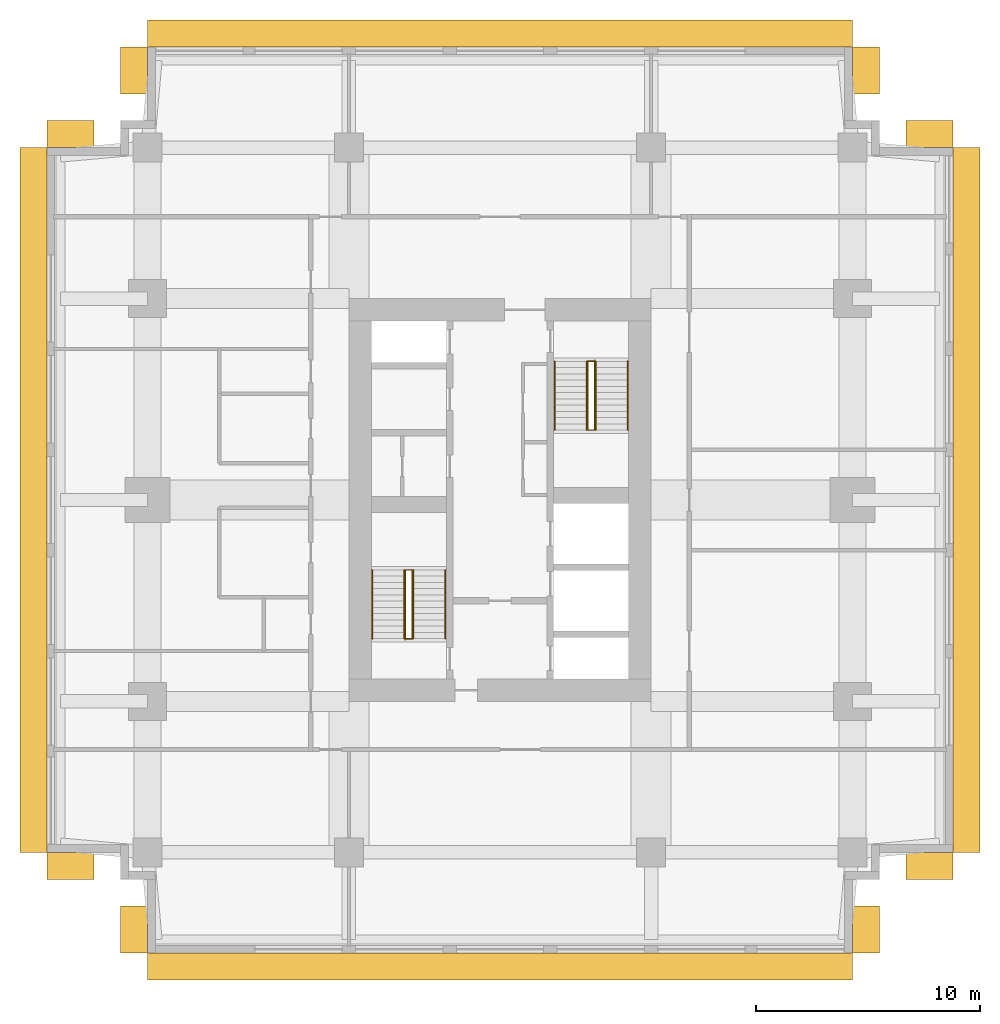
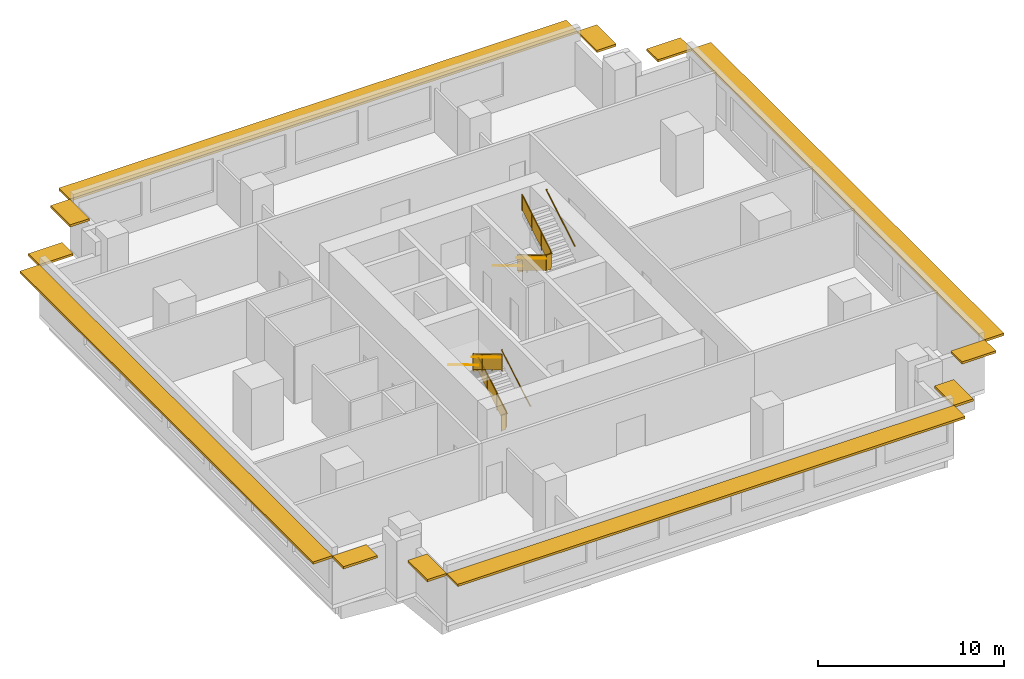
# One storey, part 5 of 5: 12 shading devices, 10 railings.
"""IFC4 building model written with IfcOpenShell, lengths in metres."""

from ifc_helpers import new_model, si_unit, direction, frame, origin, origin_2d, place, context, subcontext, project, spatial, polyline, rectangle, circle, outline, extrude, material, layer, layer_set, type_object, element, save


model = new_model("IFC4")

# Units and contexts
model_context = context("Model", 3, precision=1e-05, world=origin(), true_north=direction((0.0, 1.0)))
body_context = subcontext(model_context, "Body", "Model", "MODEL_VIEW")
ifc_project = project(units=[si_unit("LENGTHUNIT", "METRE"), si_unit("AREAUNIT", "SQUARE_METRE"), si_unit("VOLUMEUNIT", "CUBIC_METRE"), si_unit("PLANEANGLEUNIT", "RADIAN"), si_unit("MASSUNIT", "GRAM", prefix="KILO")], contexts=[model_context])

# Site, building, storey
site_placement = place(None, origin())
site = spatial("IfcSite", under=ifc_project, at=site_placement, CompositionType="ELEMENT")
building_placement = place(site_placement, origin())
building = spatial("IfcBuilding", under=site, at=building_placement, Name="Namib Vertical Campus", CompositionType="ELEMENT")
storey_placement = place(building_placement, frame((0.0, 0.0, 277.0)))
storey = spatial("IfcBuildingStorey", under=building, at=storey_placement, Name="L65", CompositionType="ELEMENT", Elevation=277.0)

# Railings
ifc_material_1 = material(Name="Steel handrail", Category="steel")
railing_type_1 = type_object("IfcRailingType", Name="Handrail 900", PredefinedType="HANDRAIL", material=ifc_material_1)
railing_1_placement = place(storey_placement, frame((17.800048828125, 14.050048828125, 0.166748046875)))
element("IfcRailing", 1, at=railing_1_placement, inside=storey, type_object=railing_type_1, Name="Handrail HR1 A-S1 L65 1", PredefinedType="HANDRAIL", context=body_context, shape_type="SweptSolid", body=[
    extrude(circle(Radius=0.02392578125, at=origin_2d()), frame((0.0, 0.0, 0.8759765625), z_axis=(0.0, 0.859290745958, 0.51148745235), x_axis=(-1.0, 0.0, 0.0)), (0.0, 0.0, 1.0), 3.584228515625),
    extrude(circle(Radius=0.008056640625, at=origin_2d()), frame((0.0, 0.0, 0.8759765625), z_axis=(1.0, 0.0, 0.0), x_axis=(0.0, 0.0, 1.0)), (0.0, 0.0, 1.0), 0.050048828125),
    extrude(circle(Radius=0.008056640625, at=origin_2d()), frame((0.0, 1.026611328125, 1.48681640625), z_axis=(1.0, 0.0, 0.0), x_axis=(0.0, 0.0, 1.0)), (0.0, 0.0, 1.0), 0.050048828125),
    extrude(circle(Radius=0.008056640625, at=origin_2d()), frame((0.0, 2.05322265625, 2.09814453125), z_axis=(1.0, 0.0, 0.0), x_axis=(0.0, 0.0, 1.0)), (0.0, 0.0, 1.0), 0.050048828125),
    extrude(circle(Radius=0.008056640625, at=origin_2d()), frame((0.0, 3.079833984375, 2.708984375), z_axis=(1.0, 0.0, 0.0), x_axis=(0.0, 0.0, 1.0)), (0.0, 0.0, 1.0), 0.050048828125),
])
railing_2_placement = place(storey_placement, frame((14.550048828125, 17.1298828125, 2.166748046875)))
element("IfcRailing", 2, at=railing_2_placement, inside=storey, type_object=railing_type_1, Name="Handrail HR1 A-S1 L65 2", PredefinedType="HANDRAIL", context=body_context, shape_type="SweptSolid", body=[
    extrude(circle(Radius=0.02392578125, at=origin_2d()), frame((0.0, 0.0, 0.8759765625), z_axis=(0.0, -0.859290745958, 0.51148745235), x_axis=(1.0, 0.0, 0.0)), (0.0, 0.0, 1.0), 3.584228515625),
    extrude(circle(Radius=0.008056640625, at=origin_2d()), frame((0.0, 0.0, 0.8759765625), z_axis=(-1.0, 0.0, 0.0), x_axis=(0.0, 0.0, 1.0)), (0.0, 0.0, 1.0), 0.050048828125),
    extrude(circle(Radius=0.008056640625, at=origin_2d()), frame((0.0, -1.026611328125, 1.48681640625), z_axis=(-1.0, 0.0, 0.0), x_axis=(0.0, 0.0, 1.0)), (0.0, 0.0, 1.0), 0.050048828125),
    extrude(circle(Radius=0.008056640625, at=origin_2d()), frame((0.0, -2.05322265625, 2.09814453125), z_axis=(-1.0, 0.0, 0.0), x_axis=(0.0, 0.0, 1.0)), (0.0, 0.0, 1.0), 0.050048828125),
    extrude(circle(Radius=0.008056640625, at=origin_2d()), frame((0.0, -3.079833984375, 2.708984375), z_axis=(-1.0, 0.0, 0.0), x_axis=(0.0, 0.0, 1.0)), (0.0, 0.0, 1.0), 0.050048828125),
])
railing_3_placement = place(storey_placement, frame((16.375, 14.050048828125, 0.166748046875)))
element("IfcRailing", 3, at=railing_3_placement, inside=storey, type_object=railing_type_1, Name="Handrail HR1 A-S1 L65 1 at the well", PredefinedType="HANDRAIL", context=body_context, shape_type="SweptSolid", body=[
    extrude(circle(Radius=0.02392578125, at=origin_2d()), frame((0.0, 0.0, 0.8759765625), z_axis=(0.0, 0.859290745958, 0.51148745235), x_axis=(-1.0, 0.0, 0.0)), (0.0, 0.0, 1.0), 3.584228515625),
    extrude(circle(Radius=0.008056640625, at=origin_2d()), frame((0.0, 0.0, 0.8759765625), z_axis=(-1.0, 0.0, 0.0), x_axis=(0.0, 0.0, 1.0)), (0.0, 0.0, 1.0), 0.0400390625),
    extrude(circle(Radius=0.008056640625, at=origin_2d()), frame((0.0, 1.026611328125, 1.48681640625), z_axis=(-1.0, 0.0, 0.0), x_axis=(0.0, 0.0, 1.0)), (0.0, 0.0, 1.0), 0.0400390625),
    extrude(circle(Radius=0.008056640625, at=origin_2d()), frame((0.0, 2.05322265625, 2.09814453125), z_axis=(-1.0, 0.0, 0.0), x_axis=(0.0, 0.0, 1.0)), (0.0, 0.0, 1.0), 0.0400390625),
    extrude(circle(Radius=0.008056640625, at=origin_2d()), frame((0.0, 3.079833984375, 2.708984375), z_axis=(-1.0, 0.0, 0.0), x_axis=(0.0, 0.0, 1.0)), (0.0, 0.0, 1.0), 0.0400390625),
])
railing_4_placement = place(storey_placement, frame((15.97509765625, 17.1298828125, 2.166748046875)))
element("IfcRailing", 4, at=railing_4_placement, inside=storey, type_object=railing_type_1, Name="Handrail HR1 A-S1 L65 2 at the well", PredefinedType="HANDRAIL", context=body_context, shape_type="SweptSolid", body=[
    extrude(circle(Radius=0.02392578125, at=origin_2d()), frame((0.0, 0.0, 0.8759765625), z_axis=(0.0, -0.859290745958, 0.51148745235), x_axis=(1.0, 0.0, 0.0)), (0.0, 0.0, 1.0), 3.584228515625),
    extrude(circle(Radius=0.008056640625, at=origin_2d()), frame((0.0, 0.0, 0.8759765625), z_axis=(1.0, 0.0, 0.0), x_axis=(0.0, 0.0, 1.0)), (0.0, 0.0, 1.0), 0.0400390625),
    extrude(circle(Radius=0.008056640625, at=origin_2d()), frame((0.0, -1.026611328125, 1.48681640625), z_axis=(1.0, 0.0, 0.0), x_axis=(0.0, 0.0, 1.0)), (0.0, 0.0, 1.0), 0.0400390625),
    extrude(circle(Radius=0.008056640625, at=origin_2d()), frame((0.0, -2.05322265625, 2.09814453125), z_axis=(1.0, 0.0, 0.0), x_axis=(0.0, 0.0, 1.0)), (0.0, 0.0, 1.0), 0.0400390625),
    extrude(circle(Radius=0.008056640625, at=origin_2d()), frame((0.0, -3.079833984375, 2.708984375), z_axis=(1.0, 0.0, 0.0), x_axis=(0.0, 0.0, 1.0)), (0.0, 0.0, 1.0), 0.0400390625),
])
railing_5_placement = place(storey_placement, frame((22.699951171875, 26.449951171875, 0.166748046875)))
element("IfcRailing", 5, at=railing_5_placement, inside=storey, type_object=railing_type_1, Name="Handrail HR1 A-S2 L65 1", PredefinedType="HANDRAIL", context=body_context, shape_type="SweptSolid", body=[
    extrude(circle(Radius=0.02392578125, at=origin_2d()), frame((0.0, 0.0, 0.8759765625), z_axis=(0.0, -0.859290745958, 0.51148745235), x_axis=(1.0, 0.0, 0.0)), (0.0, 0.0, 1.0), 3.584228515625),
    extrude(circle(Radius=0.008056640625, at=origin_2d()), frame((0.0, 0.0, 0.8759765625), z_axis=(-1.0, 0.0, 0.0), x_axis=(0.0, 0.0, 1.0)), (0.0, 0.0, 1.0), 0.050048828125),
    extrude(circle(Radius=0.008056640625, at=origin_2d()), frame((0.0, -1.026611328125, 1.48681640625), z_axis=(-1.0, 0.0, 0.0), x_axis=(0.0, 0.0, 1.0)), (0.0, 0.0, 1.0), 0.050048828125),
    extrude(circle(Radius=0.008056640625, at=origin_2d()), frame((0.0, -2.05322265625, 2.09814453125), z_axis=(-1.0, 0.0, 0.0), x_axis=(0.0, 0.0, 1.0)), (0.0, 0.0, 1.0), 0.050048828125),
    extrude(circle(Radius=0.008056640625, at=origin_2d()), frame((0.0, -3.079833984375, 2.708984375), z_axis=(-1.0, 0.0, 0.0), x_axis=(0.0, 0.0, 1.0)), (0.0, 0.0, 1.0), 0.050048828125),
])
railing_6_placement = place(storey_placement, frame((25.949951171875, 23.3701171875, 2.166748046875)))
element("IfcRailing", 6, at=railing_6_placement, inside=storey, type_object=railing_type_1, Name="Handrail HR1 A-S2 L65 2", PredefinedType="HANDRAIL", context=body_context, shape_type="SweptSolid", body=[
    extrude(circle(Radius=0.02392578125, at=origin_2d()), frame((0.0, 0.0, 0.8759765625), z_axis=(0.0, 0.859290745958, 0.51148745235), x_axis=(-1.0, 0.0, 0.0)), (0.0, 0.0, 1.0), 3.584228515625),
    extrude(circle(Radius=0.008056640625, at=origin_2d()), frame((0.0, 0.0, 0.8759765625), z_axis=(1.0, 0.0, 0.0), x_axis=(0.0, 0.0, 1.0)), (0.0, 0.0, 1.0), 0.050048828125),
    extrude(circle(Radius=0.008056640625, at=origin_2d()), frame((0.0, 1.026611328125, 1.48681640625), z_axis=(1.0, 0.0, 0.0), x_axis=(0.0, 0.0, 1.0)), (0.0, 0.0, 1.0), 0.050048828125),
    extrude(circle(Radius=0.008056640625, at=origin_2d()), frame((0.0, 2.05322265625, 2.09814453125), z_axis=(1.0, 0.0, 0.0), x_axis=(0.0, 0.0, 1.0)), (0.0, 0.0, 1.0), 0.050048828125),
    extrude(circle(Radius=0.008056640625, at=origin_2d()), frame((0.0, 3.079833984375, 2.708984375), z_axis=(1.0, 0.0, 0.0), x_axis=(0.0, 0.0, 1.0)), (0.0, 0.0, 1.0), 0.050048828125),
])
railing_7_placement = place(storey_placement, frame((24.125, 26.449951171875, 0.166748046875)))
element("IfcRailing", 7, at=railing_7_placement, inside=storey, type_object=railing_type_1, Name="Handrail HR1 A-S2 L65 1 at the well", PredefinedType="HANDRAIL", context=body_context, shape_type="SweptSolid", body=[
    extrude(circle(Radius=0.02392578125, at=origin_2d()), frame((0.0, 0.0, 0.8759765625), z_axis=(0.0, -0.859290745958, 0.51148745235), x_axis=(1.0, 0.0, 0.0)), (0.0, 0.0, 1.0), 3.584228515625),
    extrude(circle(Radius=0.008056640625, at=origin_2d()), frame((0.0, 0.0, 0.8759765625), z_axis=(1.0, 0.0, 0.0), x_axis=(0.0, 0.0, 1.0)), (0.0, 0.0, 1.0), 0.0400390625),
    extrude(circle(Radius=0.008056640625, at=origin_2d()), frame((0.0, -1.026611328125, 1.48681640625), z_axis=(1.0, 0.0, 0.0), x_axis=(0.0, 0.0, 1.0)), (0.0, 0.0, 1.0), 0.0400390625),
    extrude(circle(Radius=0.008056640625, at=origin_2d()), frame((0.0, -2.05322265625, 2.09814453125), z_axis=(1.0, 0.0, 0.0), x_axis=(0.0, 0.0, 1.0)), (0.0, 0.0, 1.0), 0.0400390625),
    extrude(circle(Radius=0.008056640625, at=origin_2d()), frame((0.0, -3.079833984375, 2.708984375), z_axis=(1.0, 0.0, 0.0), x_axis=(0.0, 0.0, 1.0)), (0.0, 0.0, 1.0), 0.0400390625),
])
railing_8_placement = place(storey_placement, frame((24.52490234375, 23.3701171875, 2.166748046875)))
element("IfcRailing", 8, at=railing_8_placement, inside=storey, type_object=railing_type_1, Name="Handrail HR1 A-S2 L65 2 at the well", PredefinedType="HANDRAIL", context=body_context, shape_type="SweptSolid", body=[
    extrude(circle(Radius=0.02392578125, at=origin_2d()), frame((0.0, 0.0, 0.8759765625), z_axis=(0.0, 0.859290745958, 0.51148745235), x_axis=(-1.0, 0.0, 0.0)), (0.0, 0.0, 1.0), 3.584228515625),
    extrude(circle(Radius=0.008056640625, at=origin_2d()), frame((0.0, 0.0, 0.8759765625), z_axis=(-1.0, 0.0, 0.0), x_axis=(0.0, 0.0, 1.0)), (0.0, 0.0, 1.0), 0.0400390625),
    extrude(circle(Radius=0.008056640625, at=origin_2d()), frame((0.0, 1.026611328125, 1.48681640625), z_axis=(-1.0, 0.0, 0.0), x_axis=(0.0, 0.0, 1.0)), (0.0, 0.0, 1.0), 0.0400390625),
    extrude(circle(Radius=0.008056640625, at=origin_2d()), frame((0.0, 2.05322265625, 2.09814453125), z_axis=(-1.0, 0.0, 0.0), x_axis=(0.0, 0.0, 1.0)), (0.0, 0.0, 1.0), 0.0400390625),
    extrude(circle(Radius=0.008056640625, at=origin_2d()), frame((0.0, 3.079833984375, 2.708984375), z_axis=(-1.0, 0.0, 0.0), x_axis=(0.0, 0.0, 1.0)), (0.0, 0.0, 1.0), 0.0400390625),
])
ifc_material_2 = material(Name="Steel balustrade", Category="steel")
railing_type_2 = type_object("IfcRailingType", Name="Stair guard 1100", PredefinedType="GUARDRAIL", material=ifc_material_2)
railing_9_placement = place(storey_placement, frame((16.02490234375, 14.050048828125, 0.0)))
element("IfcRailing", 9, at=railing_9_placement, inside=storey, type_object=railing_type_2, Name="Stair guard GR1 A-S1 L65", PredefinedType="GUARDRAIL", context=body_context, shape_type="SweptSolid", body=[
    extrude(circle(Radius=0.02392578125, at=origin_2d()), frame((0.0, 0.0, 1.076171875), z_axis=(1.0, 0.0, 0.0), x_axis=(0.0, 1.0, 0.0)), (0.0, 0.0, 1.0), 0.300048828125),
    extrude(outline(polyline([(0.02099609375, 0.050048828125), (0.279052734375, 0.050048828125), (0.279052734375, 1.052001953125), (0.02099609375, 1.052001953125), (0.02099609375, 0.050048828125)])), frame((0.0, 0.010009765625, 0.0), z_axis=(0.0, -1.0, 0.0), x_axis=(1.0, 0.0, 0.0)), (0.0, 0.0, 1.0), 0.02001953125),
    extrude(circle(Radius=0.02392578125, at=origin_2d()), frame((0.300048828125, 0.0, 1.076171875), z_axis=(0.0, 0.0, 1.0), x_axis=(1.0, 0.0, 0.0)), (0.0, 0.0, 1.0), 0.166748046875),
    extrude(circle(Radius=0.02392578125, at=origin_2d()), frame((0.300048828125, 0.0, 1.24267578125), z_axis=(0.0, 0.859290745958, 0.51148745235), x_axis=(-1.0, 0.0, 0.0)), (0.0, 0.0, 1.0), 3.584228515625),
    extrude(outline(polyline([(0.02099609375, 0.0625), (3.058837890625, 1.870849609375), (3.058837890625, 2.872802734375), (0.02099609375, 1.064453125), (0.02099609375, 0.0625)])), frame((0.2900390625, 0.0, 0.166748046875), z_axis=(1.0, 0.0, 0.0), x_axis=(0.0, 1.0, 0.0)), (0.0, 0.0, 1.0), 0.02001953125),
    extrude(circle(Radius=0.02392578125, at=origin_2d()), frame((0.300048828125, 3.079833984375, 3.076171875), z_axis=(-1.0, 0.0, 0.0), x_axis=(0.0, -1.0, 0.0)), (0.0, 0.0, 1.0), 0.300048828125),
    extrude(outline(polyline([(0.02099609375, 0.050048828125), (0.279052734375, 0.050048828125), (0.279052734375, 1.052001953125), (0.02099609375, 1.052001953125), (0.02099609375, 0.050048828125)])), frame((0.300048828125, 3.06982421875, 2.0), z_axis=(0.0, 1.0, 0.0), x_axis=(-1.0, 0.0, 0.0)), (0.0, 0.0, 1.0), 0.02001953125),
    extrude(circle(Radius=0.02392578125, at=origin_2d()), frame((0.0, 3.079833984375, 3.076171875), z_axis=(0.0, 0.0, 1.0), x_axis=(1.0, 0.0, 0.0)), (0.0, 0.0, 1.0), 0.166748046875),
    extrude(circle(Radius=0.02392578125, at=origin_2d()), frame((0.0, 3.079833984375, 3.24267578125), z_axis=(0.0, -0.859290745958, 0.51148745235), x_axis=(1.0, 0.0, 0.0)), (0.0, 0.0, 1.0), 3.584228515625),
    extrude(outline(polyline([(0.02099609375, 0.0625), (3.058837890625, 1.870849609375), (3.058837890625, 2.872802734375), (0.02099609375, 1.064453125), (0.02099609375, 0.0625)])), frame((0.010009765625, 3.079833984375, 2.166748046875), z_axis=(-1.0, 0.0, 0.0), x_axis=(0.0, -1.0, 0.0)), (0.0, 0.0, 1.0), 0.02001953125),
    extrude(circle(Radius=0.02392578125, at=origin_2d()), frame((0.0, 0.0, 5.076171875), z_axis=(0.0, -1.0, 0.0), x_axis=(1.0, 0.0, 0.0)), (0.0, 0.0, 1.0), 0.050048828125),
    extrude(outline(polyline([(0.02099609375, 0.050048828125), (0.029052734375, 0.050048828125), (0.029052734375, 1.052001953125), (0.02099609375, 1.052001953125), (0.02099609375, 0.050048828125)])), frame((0.010009765625, 0.0, 4.0), z_axis=(-1.0, 0.0, 0.0), x_axis=(0.0, -1.0, 0.0)), (0.0, 0.0, 1.0), 0.02001953125),
    extrude(circle(Radius=0.02099609375, at=origin_2d()), origin(), (0.0, 0.0, 1.0), 1.052001953125),
    extrude(circle(Radius=0.02099609375, at=origin_2d()), frame((0.300048828125, 0.0, 0.166748046875)), (0.0, 0.0, 1.0), 1.052001953125),
    extrude(circle(Radius=0.02099609375, at=origin_2d()), frame((0.300048828125, 1.026611328125, 0.666748046875)), (0.0, 0.0, 1.0), 1.1630859375),
    extrude(circle(Radius=0.02099609375, at=origin_2d()), frame((0.300048828125, 2.05322265625, 1.33349609375)), (0.0, 0.0, 1.0), 1.107421875),
    extrude(circle(Radius=0.02099609375, at=origin_2d()), frame((0.300048828125, 3.079833984375, 2.0)), (0.0, 0.0, 1.0), 1.052001953125),
    extrude(circle(Radius=0.02099609375, at=origin_2d()), frame((0.0, 3.079833984375, 2.166748046875)), (0.0, 0.0, 1.0), 1.052001953125),
    extrude(circle(Radius=0.02099609375, at=origin_2d()), frame((0.0, 2.05322265625, 2.666748046875)), (0.0, 0.0, 1.0), 1.1630859375),
    extrude(circle(Radius=0.02099609375, at=origin_2d()), frame((0.0, 1.026611328125, 3.33349609375)), (0.0, 0.0, 1.0), 1.107421875),
    extrude(circle(Radius=0.02099609375, at=origin_2d()), frame((0.0, 0.0, 4.0)), (0.0, 0.0, 1.0), 1.052001953125),
    extrude(circle(Radius=0.02099609375, at=origin_2d()), frame((0.0, -0.050048828125, 4.0)), (0.0, 0.0, 1.0), 1.052001953125),
])
railing_10_placement = place(storey_placement, frame((24.47509765625, 26.449951171875, 0.0)))
element("IfcRailing", 10, at=railing_10_placement, inside=storey, type_object=railing_type_2, Name="Stair guard GR1 A-S2 L65", PredefinedType="GUARDRAIL", context=body_context, shape_type="SweptSolid", body=[
    extrude(circle(Radius=0.02392578125, at=origin_2d()), frame((0.0, 0.0, 1.076171875), z_axis=(-1.0, 0.0, 0.0), x_axis=(0.0, -1.0, 0.0)), (0.0, 0.0, 1.0), 0.300048828125),
    extrude(outline(polyline([(0.02099609375, 0.050048828125), (0.279052734375, 0.050048828125), (0.279052734375, 1.052001953125), (0.02099609375, 1.052001953125), (0.02099609375, 0.050048828125)])), frame((0.0, -0.010009765625, 0.0), z_axis=(0.0, 1.0, 0.0), x_axis=(-1.0, 0.0, 0.0)), (0.0, 0.0, 1.0), 0.02001953125),
    extrude(circle(Radius=0.02392578125, at=origin_2d()), frame((-0.300048828125, 0.0, 1.076171875), z_axis=(0.0, 0.0, 1.0), x_axis=(1.0, 0.0, 0.0)), (0.0, 0.0, 1.0), 0.166748046875),
    extrude(circle(Radius=0.02392578125, at=origin_2d()), frame((-0.300048828125, 0.0, 1.24267578125), z_axis=(0.0, -0.859290745958, 0.51148745235), x_axis=(1.0, 0.0, 0.0)), (0.0, 0.0, 1.0), 3.584228515625),
    extrude(outline(polyline([(0.02099609375, 0.0625), (3.058837890625, 1.870849609375), (3.058837890625, 2.872802734375), (0.02099609375, 1.064453125), (0.02099609375, 0.0625)])), frame((-0.2900390625, 0.0, 0.166748046875), z_axis=(-1.0, 0.0, 0.0), x_axis=(0.0, -1.0, 0.0)), (0.0, 0.0, 1.0), 0.02001953125),
    extrude(circle(Radius=0.02392578125, at=origin_2d()), frame((-0.300048828125, -3.079833984375, 3.076171875), z_axis=(1.0, 0.0, 0.0), x_axis=(0.0, 1.0, 0.0)), (0.0, 0.0, 1.0), 0.300048828125),
    extrude(outline(polyline([(0.02099609375, 0.050048828125), (0.279052734375, 0.050048828125), (0.279052734375, 1.052001953125), (0.02099609375, 1.052001953125), (0.02099609375, 0.050048828125)])), frame((-0.300048828125, -3.06982421875, 2.0), z_axis=(0.0, -1.0, 0.0), x_axis=(1.0, 0.0, 0.0)), (0.0, 0.0, 1.0), 0.02001953125),
    extrude(circle(Radius=0.02392578125, at=origin_2d()), frame((0.0, -3.079833984375, 3.076171875), z_axis=(0.0, 0.0, 1.0), x_axis=(1.0, 0.0, 0.0)), (0.0, 0.0, 1.0), 0.166748046875),
    extrude(circle(Radius=0.02392578125, at=origin_2d()), frame((0.0, -3.079833984375, 3.24267578125), z_axis=(0.0, 0.859290745958, 0.51148745235), x_axis=(-1.0, 0.0, 0.0)), (0.0, 0.0, 1.0), 3.584228515625),
    extrude(outline(polyline([(0.02099609375, 0.0625), (3.058837890625, 1.870849609375), (3.058837890625, 2.872802734375), (0.02099609375, 1.064453125), (0.02099609375, 0.0625)])), frame((-0.010009765625, -3.079833984375, 2.166748046875), z_axis=(1.0, 0.0, 0.0), x_axis=(0.0, 1.0, 0.0)), (0.0, 0.0, 1.0), 0.02001953125),
    extrude(circle(Radius=0.02392578125, at=origin_2d()), frame((0.0, 0.0, 5.076171875), z_axis=(0.0, 1.0, 0.0), x_axis=(-1.0, 0.0, 0.0)), (0.0, 0.0, 1.0), 0.050048828125),
    extrude(outline(polyline([(0.02099609375, 0.050048828125), (0.029052734375, 0.050048828125), (0.029052734375, 1.052001953125), (0.02099609375, 1.052001953125), (0.02099609375, 0.050048828125)])), frame((-0.010009765625, 0.0, 4.0), z_axis=(1.0, 0.0, 0.0), x_axis=(0.0, 1.0, 0.0)), (0.0, 0.0, 1.0), 0.02001953125),
    extrude(circle(Radius=0.02099609375, at=origin_2d()), origin(), (0.0, 0.0, 1.0), 1.052001953125),
    extrude(circle(Radius=0.02099609375, at=origin_2d()), frame((-0.300048828125, 0.0, 0.166748046875)), (0.0, 0.0, 1.0), 1.052001953125),
    extrude(circle(Radius=0.02099609375, at=origin_2d()), frame((-0.300048828125, -1.026611328125, 0.666748046875)), (0.0, 0.0, 1.0), 1.1630859375),
    extrude(circle(Radius=0.02099609375, at=origin_2d()), frame((-0.300048828125, -2.05322265625, 1.33349609375)), (0.0, 0.0, 1.0), 1.107421875),
    extrude(circle(Radius=0.02099609375, at=origin_2d()), frame((-0.300048828125, -3.079833984375, 2.0)), (0.0, 0.0, 1.0), 1.052001953125),
    extrude(circle(Radius=0.02099609375, at=origin_2d()), frame((0.0, -3.079833984375, 2.166748046875)), (0.0, 0.0, 1.0), 1.052001953125),
    extrude(circle(Radius=0.02099609375, at=origin_2d()), frame((0.0, -2.05322265625, 2.666748046875)), (0.0, 0.0, 1.0), 1.1630859375),
    extrude(circle(Radius=0.02099609375, at=origin_2d()), frame((0.0, -1.026611328125, 3.33349609375)), (0.0, 0.0, 1.0), 1.107421875),
    extrude(circle(Radius=0.02099609375, at=origin_2d()), frame((0.0, 0.0, 4.0)), (0.0, 0.0, 1.0), 1.052001953125),
    extrude(circle(Radius=0.02099609375, at=origin_2d()), frame((0.0, 0.050048828125, 4.0)), (0.0, 0.0, 1.0), 1.052001953125),
])

# Shading devices
ifc_material_3 = material(Name="Concrete C40/50 precast", Category="concrete")
ifc_layer = layer(ifc_material_3, 0.14990234375)
ifc_layer_set = layer_set([ifc_layer], Name="Concrete C40/50 precast")
shading_device_type = type_object("IfcShadingDeviceType", Name="Sunshade hood 1200", PredefinedType="SHUTTER", material=ifc_layer_set)
shading_device_1_placement = place(storey_placement, frame((20.25, -0.60009765625, 3.10009765625), z_axis=(0.0, 0.0, 1.0), x_axis=(1.0, 0.0, 0.0)))
element("IfcShadingDevice", 11, at=shading_device_1_placement, inside=storey, type_object=shading_device_type, Name="Sunshade SH2 L65 1", PredefinedType="SHUTTER", context=body_context, shape_type="SweptSolid", body=[
    extrude(rectangle(XDim=31.5, YDim=1.199951171875, at=origin_2d()), origin(), (0.0, 0.0, 1.0), 0.14990234375),
])
for number, where, z_axis, x_axis, name in (
    (12, (36.60009765625, 1.050048828125, 3.10009765625), (0.0, 0.0, 1.0), (0.0, 1.0, 0.0), "Sunshade SH2 L65 2"),
    (13, (39.449951171875, 3.89990234375, 3.10009765625), (0.0, 0.0, 1.0), (1.0, 0.0, 0.0), "Sunshade SH2 L65 5"),
):
    element("IfcShadingDevice", number, at=place(storey_placement, frame(where, z_axis=z_axis, x_axis=x_axis)), inside=storey, type_object=shading_device_type, Name=name, PredefinedType="SHUTTER", context=body_context, shape_type="SweptSolid", body=[
        extrude(rectangle(XDim=2.10009765625, YDim=1.199951171875, at=origin_2d()), origin(), (0.0, 0.0, 1.0), 0.14990234375),
    ])
shading_device_2_placement = place(storey_placement, frame((41.10009765625, 20.25, 3.10009765625), z_axis=(0.0, 0.0, 1.0), x_axis=(0.0, 1.0, 0.0)))
element("IfcShadingDevice", 14, at=shading_device_2_placement, inside=storey, type_object=shading_device_type, Name="Sunshade SH2 L65 6", PredefinedType="SHUTTER", context=body_context, shape_type="SweptSolid", body=[
    extrude(rectangle(XDim=31.5, YDim=1.199951171875, at=origin_2d()), origin(), (0.0, 0.0, 1.0), 0.14990234375),
])
for number, where, z_axis, x_axis, name in (
    (15, (39.449951171875, 36.60009765625, 3.10009765625), (0.0, 0.0, 1.0), (-1.0, 0.0, 0.0), "Sunshade SH2 L65 7"),
    (16, (36.60009765625, 39.449951171875, 3.10009765625), (0.0, 0.0, 1.0), (0.0, 1.0, 0.0), "Sunshade SH2 L65 10"),
):
    element("IfcShadingDevice", number, at=place(storey_placement, frame(where, z_axis=z_axis, x_axis=x_axis)), inside=storey, type_object=shading_device_type, Name=name, PredefinedType="SHUTTER", context=body_context, shape_type="SweptSolid", body=[
        extrude(rectangle(XDim=2.10009765625, YDim=1.199951171875, at=origin_2d()), origin(), (0.0, 0.0, 1.0), 0.14990234375),
    ])
shading_device_3_placement = place(storey_placement, frame((20.25, 41.10009765625, 3.10009765625), z_axis=(0.0, 0.0, 1.0), x_axis=(-1.0, 0.0, 0.0)))
element("IfcShadingDevice", 17, at=shading_device_3_placement, inside=storey, type_object=shading_device_type, Name="Sunshade SH2 L65 11", PredefinedType="SHUTTER", context=body_context, shape_type="SweptSolid", body=[
    extrude(rectangle(XDim=31.5, YDim=1.199951171875, at=origin_2d()), origin(), (0.0, 0.0, 1.0), 0.14990234375),
])
for number, where, z_axis, x_axis, name in (
    (18, (3.89990234375, 39.449951171875, 3.10009765625), (0.0, 0.0, 1.0), (0.0, -1.0, 0.0), "Sunshade SH2 L65 12"),
    (19, (1.050048828125, 36.60009765625, 3.10009765625), (0.0, 0.0, 1.0), (-1.0, 0.0, 0.0), "Sunshade SH2 L65 15"),
):
    element("IfcShadingDevice", number, at=place(storey_placement, frame(where, z_axis=z_axis, x_axis=x_axis)), inside=storey, type_object=shading_device_type, Name=name, PredefinedType="SHUTTER", context=body_context, shape_type="SweptSolid", body=[
        extrude(rectangle(XDim=2.10009765625, YDim=1.199951171875, at=origin_2d()), origin(), (0.0, 0.0, 1.0), 0.14990234375),
    ])
shading_device_4_placement = place(storey_placement, frame((-0.60009765625, 20.25, 3.10009765625), z_axis=(0.0, 0.0, 1.0), x_axis=(0.0, -1.0, 0.0)))
element("IfcShadingDevice", 20, at=shading_device_4_placement, inside=storey, type_object=shading_device_type, Name="Sunshade SH2 L65 16", PredefinedType="SHUTTER", context=body_context, shape_type="SweptSolid", body=[
    extrude(rectangle(XDim=31.5, YDim=1.199951171875, at=origin_2d()), origin(), (0.0, 0.0, 1.0), 0.14990234375),
])
for number, where, z_axis, x_axis, name in (
    (21, (1.050048828125, 3.89990234375, 3.10009765625), (0.0, 0.0, 1.0), (1.0, 0.0, 0.0), "Sunshade SH2 L65 17"),
    (22, (3.89990234375, 1.050048828125, 3.10009765625), (0.0, 0.0, 1.0), (0.0, -1.0, 0.0), "Sunshade SH2 L65 20"),
):
    element("IfcShadingDevice", number, at=place(storey_placement, frame(where, z_axis=z_axis, x_axis=x_axis)), inside=storey, type_object=shading_device_type, Name=name, PredefinedType="SHUTTER", context=body_context, shape_type="SweptSolid", body=[
        extrude(rectangle(XDim=2.10009765625, YDim=1.199951171875, at=origin_2d()), origin(), (0.0, 0.0, 1.0), 0.14990234375),
    ])

save(model, "model.ifc")
